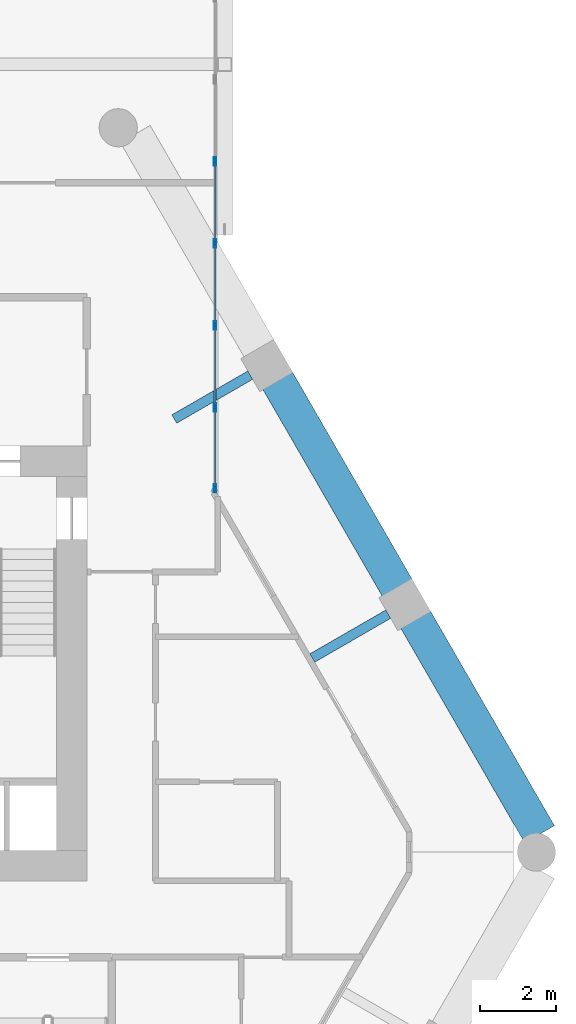
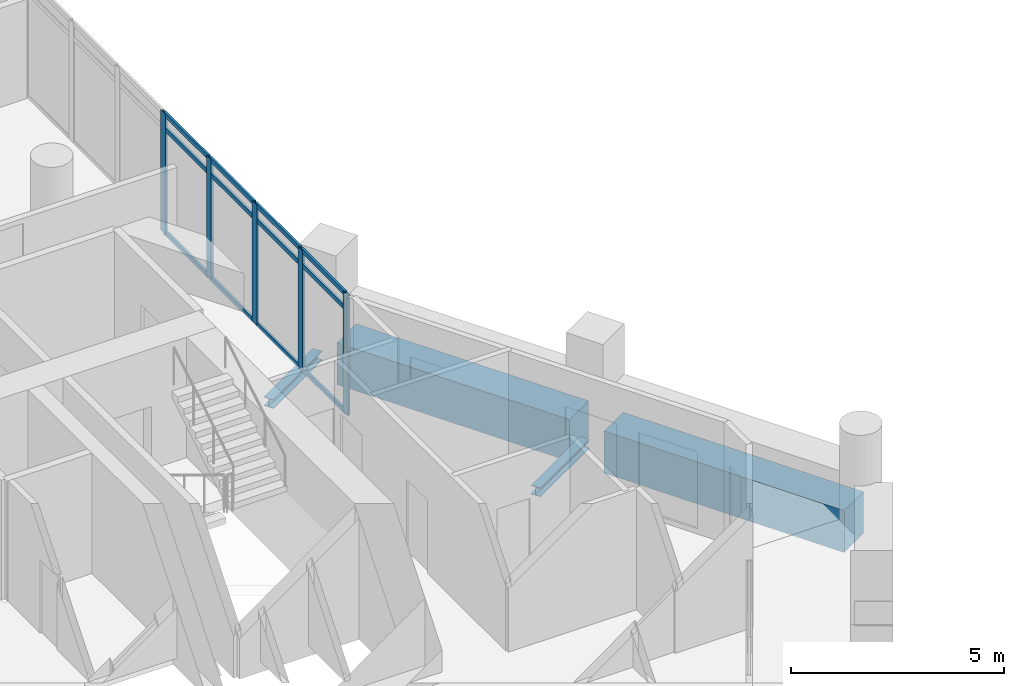
# One storey, part 25 of 38: 17 members, 4 beams, 1 element without a shape of its own.
"""IFC4 building model written with IfcOpenShell, lengths in metres."""

from ifc_helpers import new_model, si_unit, direction, frame, origin, origin_2d, place, context, subcontext, project, spatial, rectangle, hollow_rectangle, i_section, extrude, material, material_profile, profile_set, type_object, element, aggregate, save


model = new_model("IFC4")

# Units and contexts
model_context = context("Model", 3, precision=1e-05, world=origin(), true_north=direction((0.0, 1.0)))
body_context = subcontext(model_context, "Body", "Model", "MODEL_VIEW")
ifc_project = project(units=[si_unit("LENGTHUNIT", "METRE"), si_unit("AREAUNIT", "SQUARE_METRE"), si_unit("VOLUMEUNIT", "CUBIC_METRE"), si_unit("PLANEANGLEUNIT", "RADIAN"), si_unit("MASSUNIT", "GRAM", prefix="KILO")], contexts=[model_context])

# Site, building, storey
site_placement = place(None, origin())
site = spatial("IfcSite", under=ifc_project, at=site_placement, CompositionType="ELEMENT")
building_placement = place(site_placement, origin())
building = spatial("IfcBuilding", under=site, at=building_placement, Name="Ostrander Bayou Hotel Tower", CompositionType="ELEMENT")
storey_placement = place(building_placement, frame((0.0, 0.0, 194.5)))
storey = spatial("IfcBuildingStorey", under=building, at=storey_placement, Name="L48", CompositionType="ELEMENT", Elevation=194.5)

# Curtain wall, members
ifc_material_1 = material(Name="Aluminium and clear glass", Category="aluminium")
curtain_wall_type = type_object("IfcCurtainWallType", Name="CW-BAR glazed wall", PredefinedType="NOTDEFINED", material=ifc_material_1)
curtain_wall_placement = place(storey_placement, origin())
curtain_wall = element("IfcCurtainWall", 1, at=curtain_wall_placement, inside=storey, type_object=curtain_wall_type, Name="CW-BAR L48:SB4N:W", PredefinedType="NOTDEFINED")
ifc_material_2 = material(Name="Aluminium", Category="aluminium")
ifc_material_profile_1 = material_profile(ifc_material_2, hollow_rectangle(XDim=0.06005859375, YDim=0.219970703125, WallThickness=0.00390625, at=origin_2d()))
ifc_profile_set_1 = profile_set([ifc_material_profile_1], Name="Aluminium")
member_type_1 = type_object("IfcMemberType", Name="CW-BR mullion 60 x 220 mm", PredefinedType="MULLION", material=ifc_profile_set_1)
member_1_placement = place(storey_placement, frame((11.857177734375, 8.594482421875, 0.0), z_axis=(0.0, 0.0, 1.0), x_axis=(-1.0, 0.0, 0.0)))
member_1 = element("IfcMember", 2, at=member_1_placement, type_object=member_type_1, Name="CW-BAR mullion 1", PredefinedType="MULLION", context=body_context, shape_type="SweptSolid", body=[
    extrude(hollow_rectangle(XDim=0.06005859375, YDim=0.219970703125, WallThickness=0.00390625, at=origin_2d()), origin(), (0.0, 0.0, 1.0), 3.449951171875),
])
member_2_placement = place(storey_placement, frame((11.857177734375, 10.714599609375, 0.0), z_axis=(0.0, 0.0, 1.0), x_axis=(-1.0, 0.0, 0.0)))
member_2 = element("IfcMember", 3, at=member_2_placement, type_object=member_type_1, Name="CW-BAR mullion 2", PredefinedType="MULLION", context=body_context, shape_type="SweptSolid", body=[
    extrude(hollow_rectangle(XDim=0.06005859375, YDim=0.219970703125, WallThickness=0.00390625, at=origin_2d()), origin(), (0.0, 0.0, 1.0), 3.449951171875),
])
member_3_placement = place(storey_placement, frame((11.857177734375, 12.86474609375, 0.0), z_axis=(0.0, 0.0, 1.0), x_axis=(-1.0, 0.0, 0.0)))
member_3 = element("IfcMember", 4, at=member_3_placement, type_object=member_type_1, Name="CW-BAR mullion 3", PredefinedType="MULLION", context=body_context, shape_type="SweptSolid", body=[
    extrude(hollow_rectangle(XDim=0.06005859375, YDim=0.219970703125, WallThickness=0.00390625, at=origin_2d()), origin(), (0.0, 0.0, 1.0), 3.449951171875),
])
member_4_placement = place(storey_placement, frame((11.857177734375, 15.014892578125, 0.0), z_axis=(0.0, 0.0, 1.0), x_axis=(-1.0, 0.0, 0.0)))
member_4 = element("IfcMember", 5, at=member_4_placement, type_object=member_type_1, Name="CW-BAR mullion 4", PredefinedType="MULLION", context=body_context, shape_type="SweptSolid", body=[
    extrude(hollow_rectangle(XDim=0.06005859375, YDim=0.219970703125, WallThickness=0.00390625, at=origin_2d()), origin(), (0.0, 0.0, 1.0), 3.449951171875),
])
member_5_placement = place(storey_placement, frame((11.857177734375, 17.1650390625, 0.0), z_axis=(0.0, 0.0, 1.0), x_axis=(-1.0, 0.0, 0.0)))
member_5 = element("IfcMember", 6, at=member_5_placement, type_object=member_type_1, Name="CW-BAR mullion 5", PredefinedType="MULLION", context=body_context, shape_type="SweptSolid", body=[
    extrude(hollow_rectangle(XDim=0.06005859375, YDim=0.219970703125, WallThickness=0.00390625, at=origin_2d()), origin(), (0.0, 0.0, 1.0), 3.449951171875),
])
ifc_material_3 = material(Name="Aluminium", Category="aluminium")
ifc_material_profile_2 = material_profile(ifc_material_3, hollow_rectangle(XDim=0.06005859375, YDim=0.1298828125, WallThickness=0.00390625, at=origin_2d()))
ifc_profile_set_2 = profile_set([ifc_material_profile_2], Name="Aluminium")
member_type_2 = type_object("IfcMemberType", Name="CW-BR transom 60 x 130 mm", PredefinedType="USERDEFINED", material=ifc_profile_set_2)
member_6_placement = place(storey_placement, frame((11.857177734375, 8.62451171875, 0.030029296875), z_axis=(0.0, 1.0, 0.0), x_axis=(-1.0, 0.0, 0.0)))
member_6 = element("IfcMember", 7, at=member_6_placement, type_object=member_type_2, Name="CW-BAR transom 1.1", ObjectType="TRANSOM", PredefinedType="USERDEFINED", context=body_context, shape_type="SweptSolid", body=[
    extrude(hollow_rectangle(XDim=0.06005859375, YDim=0.1298828125, WallThickness=0.00390625, at=origin_2d()), origin(), (0.0, 0.0, 1.0), 2.06005859375),
])
member_7_placement = place(storey_placement, frame((11.857177734375, 8.62451171875, 3.0), z_axis=(0.0, 1.0, 0.0), x_axis=(-1.0, 0.0, 0.0)))
member_7 = element("IfcMember", 8, at=member_7_placement, type_object=member_type_2, Name="CW-BAR transom 1.2", ObjectType="TRANSOM", PredefinedType="USERDEFINED", context=body_context, shape_type="SweptSolid", body=[
    extrude(hollow_rectangle(XDim=0.06005859375, YDim=0.1298828125, WallThickness=0.00390625, at=origin_2d()), origin(), (0.0, 0.0, 1.0), 2.06005859375),
])
member_8_placement = place(storey_placement, frame((11.857177734375, 8.62451171875, 3.419921875), z_axis=(0.0, 1.0, 0.0), x_axis=(-1.0, 0.0, 0.0)))
member_8 = element("IfcMember", 9, at=member_8_placement, type_object=member_type_2, Name="CW-BAR transom 1.3", ObjectType="TRANSOM", PredefinedType="USERDEFINED", context=body_context, shape_type="SweptSolid", body=[
    extrude(hollow_rectangle(XDim=0.06005859375, YDim=0.1298828125, WallThickness=0.00390625, at=origin_2d()), origin(), (0.0, 0.0, 1.0), 2.06005859375),
])
member_9_placement = place(storey_placement, frame((11.857177734375, 10.74462890625, 0.030029296875), z_axis=(0.0, 1.0, 0.0), x_axis=(-1.0, 0.0, 0.0)))
member_9 = element("IfcMember", 10, at=member_9_placement, type_object=member_type_2, Name="CW-BAR transom 2.1", ObjectType="TRANSOM", PredefinedType="USERDEFINED", context=body_context, shape_type="SweptSolid", body=[
    extrude(hollow_rectangle(XDim=0.06005859375, YDim=0.1298828125, WallThickness=0.00390625, at=origin_2d()), origin(), (0.0, 0.0, 1.0), 2.090087890625),
])
member_10_placement = place(storey_placement, frame((11.857177734375, 10.74462890625, 3.0), z_axis=(0.0, 1.0, 0.0), x_axis=(-1.0, 0.0, 0.0)))
member_10 = element("IfcMember", 11, at=member_10_placement, type_object=member_type_2, Name="CW-BAR transom 2.2", ObjectType="TRANSOM", PredefinedType="USERDEFINED", context=body_context, shape_type="SweptSolid", body=[
    extrude(hollow_rectangle(XDim=0.06005859375, YDim=0.1298828125, WallThickness=0.00390625, at=origin_2d()), origin(), (0.0, 0.0, 1.0), 2.090087890625),
])
member_11_placement = place(storey_placement, frame((11.857177734375, 10.74462890625, 3.419921875), z_axis=(0.0, 1.0, 0.0), x_axis=(-1.0, 0.0, 0.0)))
member_11 = element("IfcMember", 12, at=member_11_placement, type_object=member_type_2, Name="CW-BAR transom 2.3", ObjectType="TRANSOM", PredefinedType="USERDEFINED", context=body_context, shape_type="SweptSolid", body=[
    extrude(hollow_rectangle(XDim=0.06005859375, YDim=0.1298828125, WallThickness=0.00390625, at=origin_2d()), origin(), (0.0, 0.0, 1.0), 2.090087890625),
])
member_12_placement = place(storey_placement, frame((11.857177734375, 12.894775390625, 0.030029296875), z_axis=(0.0, 1.0, 0.0), x_axis=(-1.0, 0.0, 0.0)))
member_12 = element("IfcMember", 13, at=member_12_placement, type_object=member_type_2, Name="CW-BAR transom 3.1", ObjectType="TRANSOM", PredefinedType="USERDEFINED", context=body_context, shape_type="SweptSolid", body=[
    extrude(hollow_rectangle(XDim=0.06005859375, YDim=0.1298828125, WallThickness=0.00390625, at=origin_2d()), origin(), (0.0, 0.0, 1.0), 2.090087890625),
])
member_13_placement = place(storey_placement, frame((11.857177734375, 12.894775390625, 3.0), z_axis=(0.0, 1.0, 0.0), x_axis=(-1.0, 0.0, 0.0)))
member_13 = element("IfcMember", 14, at=member_13_placement, type_object=member_type_2, Name="CW-BAR transom 3.2", ObjectType="TRANSOM", PredefinedType="USERDEFINED", context=body_context, shape_type="SweptSolid", body=[
    extrude(hollow_rectangle(XDim=0.06005859375, YDim=0.1298828125, WallThickness=0.00390625, at=origin_2d()), origin(), (0.0, 0.0, 1.0), 2.090087890625),
])
member_14_placement = place(storey_placement, frame((11.857177734375, 12.894775390625, 3.419921875), z_axis=(0.0, 1.0, 0.0), x_axis=(-1.0, 0.0, 0.0)))
member_14 = element("IfcMember", 15, at=member_14_placement, type_object=member_type_2, Name="CW-BAR transom 3.3", ObjectType="TRANSOM", PredefinedType="USERDEFINED", context=body_context, shape_type="SweptSolid", body=[
    extrude(hollow_rectangle(XDim=0.06005859375, YDim=0.1298828125, WallThickness=0.00390625, at=origin_2d()), origin(), (0.0, 0.0, 1.0), 2.090087890625),
])
member_15_placement = place(storey_placement, frame((11.857177734375, 15.044921875, 0.030029296875), z_axis=(0.0, 1.0, 0.0), x_axis=(-1.0, 0.0, 0.0)))
member_15 = element("IfcMember", 16, at=member_15_placement, type_object=member_type_2, Name="CW-BAR transom 4.1", ObjectType="TRANSOM", PredefinedType="USERDEFINED", context=body_context, shape_type="SweptSolid", body=[
    extrude(hollow_rectangle(XDim=0.06005859375, YDim=0.1298828125, WallThickness=0.00390625, at=origin_2d()), origin(), (0.0, 0.0, 1.0), 2.09033203125),
])
member_16_placement = place(storey_placement, frame((11.857177734375, 15.044921875, 3.0), z_axis=(0.0, 1.0, 0.0), x_axis=(-1.0, 0.0, 0.0)))
member_16 = element("IfcMember", 17, at=member_16_placement, type_object=member_type_2, Name="CW-BAR transom 4.2", ObjectType="TRANSOM", PredefinedType="USERDEFINED", context=body_context, shape_type="SweptSolid", body=[
    extrude(hollow_rectangle(XDim=0.06005859375, YDim=0.1298828125, WallThickness=0.00390625, at=origin_2d()), origin(), (0.0, 0.0, 1.0), 2.09033203125),
])
member_17_placement = place(storey_placement, frame((11.857177734375, 15.044921875, 3.419921875), z_axis=(0.0, 1.0, 0.0), x_axis=(-1.0, 0.0, 0.0)))
member_17 = element("IfcMember", 18, at=member_17_placement, type_object=member_type_2, Name="CW-BAR transom 4.3", ObjectType="TRANSOM", PredefinedType="USERDEFINED", context=body_context, shape_type="SweptSolid", body=[
    extrude(hollow_rectangle(XDim=0.06005859375, YDim=0.1298828125, WallThickness=0.00390625, at=origin_2d()), origin(), (0.0, 0.0, 1.0), 2.09033203125),
])
aggregate(curtain_wall, [member_1, member_2, member_3, member_4, member_5, member_6, member_7, member_8, member_9, member_10, member_11, member_12, member_13, member_14, member_15, member_16, member_17])

# Beams
ifc_material_4 = material(Name="Steel ASTM A992", Category="steel")
ifc_material_profile_3 = material_profile(ifc_material_4, i_section(OverallWidth=0.25390625, OverallDepth=0.25341796875, WebThickness=0.008544921875, FlangeThickness=0.01416015625, at=origin_2d()))
ifc_profile_set_3 = profile_set([ifc_material_profile_3], Name="Steel ASTM A992")
beam_type_1 = type_object("IfcBeamType", Name="LB2 loggia bracket W10x49", PredefinedType="BEAM", material=ifc_profile_set_3)
beam_1_placement = place(storey_placement, frame((16.40234375, 5.2919921875, -0.4267578125), z_axis=(-0.866053019151, -0.499952165731, 0.0), x_axis=(0.499952165731, -0.866053019151, 0.0)))
element("IfcBeam", 19, at=beam_1_placement, inside=storey, type_object=beam_type_1, Name="LB2 L48 NE1", PredefinedType="BEAM", context=body_context, shape_type="SweptSolid", body=[
    extrude(i_section(OverallWidth=0.25390625, OverallDepth=0.25341796875, WebThickness=0.008544921875, FlangeThickness=0.01416015625, at=origin_2d()), origin(), (0.0, 0.0, 1.0), 2.300048828125),
])
beam_2_placement = place(storey_placement, frame((12.7841796875, 11.55859375, -0.4267578125), z_axis=(-0.86602648383, -0.499998129301, 0.0), x_axis=(0.499998129301, -0.86602648383, 0.0)))
element("IfcBeam", 20, at=beam_2_placement, inside=storey, type_object=beam_type_1, Name="LB2 L48 NE2", PredefinedType="BEAM", context=body_context, shape_type="SweptSolid", body=[
    extrude(i_section(OverallWidth=0.25390625, OverallDepth=0.25341796875, WebThickness=0.008544921875, FlangeThickness=0.01416015625, at=origin_2d()), origin(), (0.0, 0.0, 1.0), 2.2998046875),
])
ifc_material_5 = material(Name="Concrete f'c 60 MPa", Category="concrete")
ifc_material_profile_4 = material_profile(ifc_material_5, rectangle(XDim=0.89990234375, YDim=1.199951171875, at=origin_2d()))
ifc_profile_set_4 = profile_set([ifc_material_profile_4], Name="Concrete f'c 60 MPa")
beam_type_2 = type_object("IfcBeamType", Name="SP3 spandrel beam 900 x 1200 mm f'c 60 MPa", PredefinedType="SPANDREL", material=ifc_profile_set_4)
beam_3_placement = place(storey_placement, frame((20.36962890625, -0.4794921875, -0.60009765625), z_axis=(-0.500022104698, 0.866012641255, 0.0), x_axis=(-0.866012641255, -0.500022104698, 0.0)))
element("IfcBeam", 21, at=beam_3_placement, inside=storey, type_object=beam_type_2, Name="SP3 L48 NE-1", PredefinedType="SPANDREL", context=body_context, shape_type="SweptSolid", body=[
    extrude(rectangle(XDim=0.89990234375, YDim=1.199951171875, at=origin_2d()), origin(), (0.0, 0.0, 1.0), 6.511962890625),
])
beam_4_placement = place(storey_placement, frame((16.6435546875, 5.97412109375, -0.60009765625), z_axis=(-0.499984268907, 0.866034485945, 0.0), x_axis=(-0.866034485945, -0.499984268907, 0.0)))
element("IfcBeam", 22, at=beam_4_placement, inside=storey, type_object=beam_type_2, Name="SP3 L48 NE-2", PredefinedType="SPANDREL", context=body_context, shape_type="SweptSolid", body=[
    extrude(rectangle(XDim=0.89990234375, YDim=1.199951171875, at=origin_2d()), origin(), (0.0, 0.0, 1.0), 6.296142578125),
])

save(model, "model.ifc")
